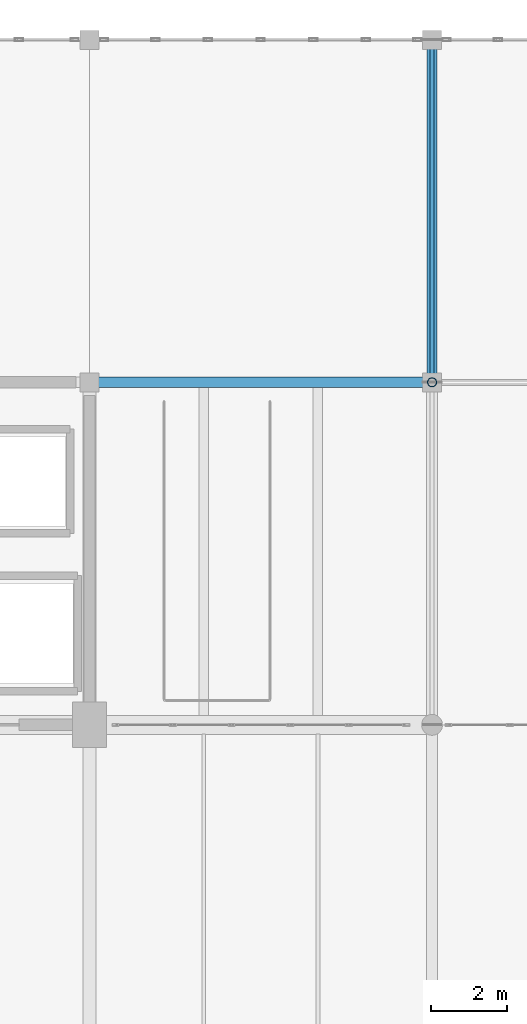
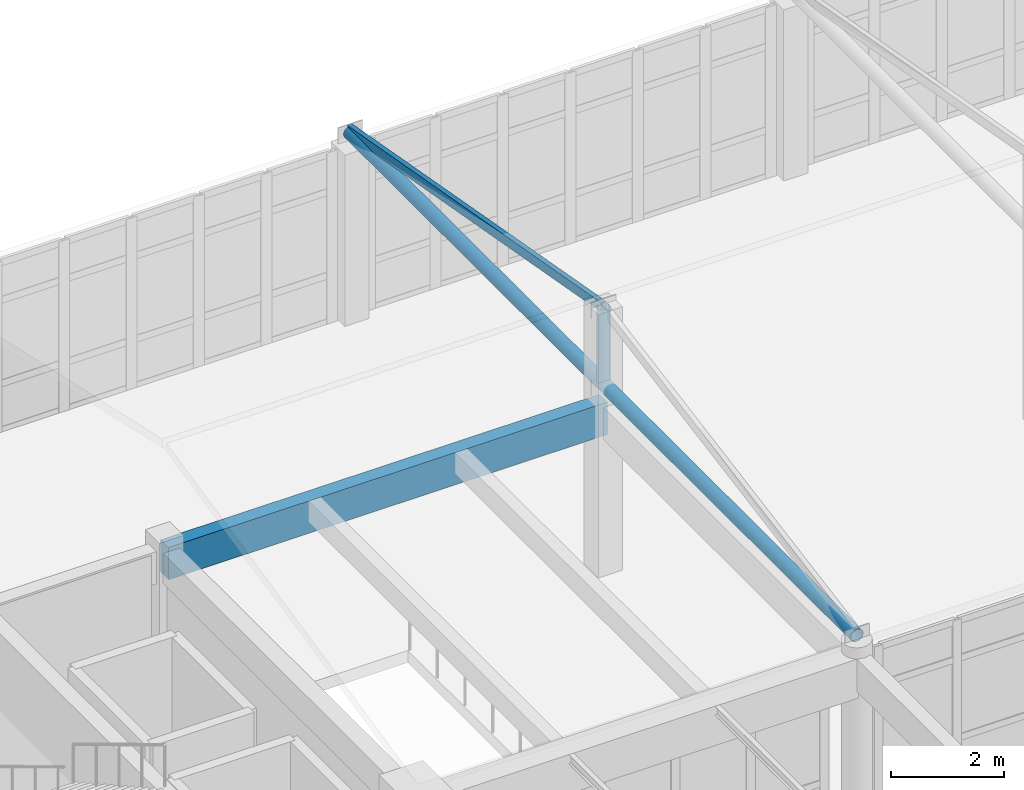
# One storey, part 58 of 156: 3 members, 1 beam.
"""IFC4 building model written with IfcOpenShell, lengths in metres."""

from ifc_helpers import new_model, si_unit, direction, frame, origin, origin_2d, place, context, subcontext, project, spatial, rectangle, hollow_rectangle, hollow_circle, extrude, material, material_profile, profile_set, type_object, element, save


model = new_model("IFC4")

# Units and contexts
model_context = context("Model", 3, precision=1e-05, world=origin(), true_north=direction((0.0, 1.0)))
body_context = subcontext(model_context, "Body", "Model", "MODEL_VIEW")
ifc_project = project(units=[si_unit("LENGTHUNIT", "METRE"), si_unit("AREAUNIT", "SQUARE_METRE"), si_unit("VOLUMEUNIT", "CUBIC_METRE"), si_unit("PLANEANGLEUNIT", "RADIAN"), si_unit("MASSUNIT", "GRAM", prefix="KILO")], contexts=[model_context])

# Site, building, storey
site_placement = place(None, origin())
site = spatial("IfcSite", under=ifc_project, at=site_placement, CompositionType="ELEMENT")
building_placement = place(site_placement, origin())
building = spatial("IfcBuilding", under=site, at=building_placement, Name="Ornek Quay Market", CompositionType="ELEMENT")
storey_placement = place(building_placement, frame((0.0, 0.0, 4.5)))
storey = spatial("IfcBuildingStorey", under=building, at=storey_placement, Name="L01", CompositionType="ELEMENT", Elevation=4.5)

# Beam
ifc_material_1 = material(Name="Concrete C35/45", Category="concrete")
ifc_material_profile_1 = material_profile(ifc_material_1, rectangle(XDim=0.280029296875, YDim=0.699951171875, at=origin_2d()), Name="RC 280x700", Category="concrete")
ifc_profile_set_1 = profile_set([ifc_material_profile_1], Name="Concrete C35/45")
beam_type = type_object("IfcBeamType", Name="BM-SPN-280x700", PredefinedType="SPANDREL", material=ifc_profile_set_1)
beam_placement = place(storey_placement, frame((63.0, 101.0, 3.31005859375), z_axis=(1.0, 0.0, 0.0), x_axis=(0.0, 1.0, 0.0)))
element("IfcBeam", 1, at=beam_placement, inside=storey, type_object=beam_type, Name="Primary beam B-SP2-052", PredefinedType="SPANDREL", context=body_context, shape_type="SweptSolid", body=[
    extrude(rectangle(XDim=0.280029296875, YDim=0.699951171875, at=origin_2d()), origin(), (0.0, 0.0, 1.0), 9.0),
])

# Members
ifc_material_2 = material(Name="Steel S355", Category="steel")
ifc_material_profile_2 = material_profile(ifc_material_2, hollow_circle(Radius=0.136474609375, WallThickness=0.012451171875, at=origin_2d()), Name="CHS 273x12.5", Category="steel")
ifc_profile_set_2 = profile_set([ifc_material_profile_2], Name="Steel S355")
member_type_1 = type_object("IfcMemberType", Name="MBR-CHD-CHS273", PredefinedType="CHORD", material=ifc_profile_set_2)
member_1_placement = place(storey_placement, frame((72.0, 92.0, 3.97998046875), z_axis=(0.0, 1.0, 0.0), x_axis=(-1.0, 0.0, 0.0)))
element("IfcMember", 2, at=member_1_placement, inside=storey, type_object=member_type_1, Name="Concourse skylight tie chord C-72", PredefinedType="CHORD", context=body_context, shape_type="SweptSolid", body=[
    extrude(hollow_circle(Radius=0.136474609375, WallThickness=0.012451171875, at=origin_2d()), origin(), (0.0, 0.0, 1.0), 18.0),
])
ifc_material_profile_3 = material_profile(ifc_material_2, hollow_rectangle(XDim=0.10009765625, YDim=0.199951171875, WallThickness=0.008056640625, at=origin_2d()), Name="MBR-RAF-100x200", Category="steel")
ifc_profile_set_3 = profile_set([ifc_material_profile_3], Name="Steel S355")
member_type_2 = type_object("IfcMemberType", Name="MBR-RAF-100x200", PredefinedType="RAFTER", material=ifc_profile_set_3)
member_2_placement = place(storey_placement, frame((72.0, 101.0, 5.64990234375), z_axis=(0.0, 0.984185744367, -0.177139551158), x_axis=(-1.0, 0.0, 0.0)))
element("IfcMember", 3, at=member_2_placement, inside=storey, type_object=member_type_2, Name="Concourse skylight rafter C-72-N", PredefinedType="RAFTER", context=body_context, shape_type="SweptSolid", body=[
    extrude(hollow_rectangle(XDim=0.10009765625, YDim=0.199951171875, WallThickness=0.008056640625, at=origin_2d()), origin(), (0.0, 0.0, 1.0), 9.14453125),
])
ifc_material_profile_4 = material_profile(ifc_material_2, hollow_circle(Radius=0.122314453125, WallThickness=0.012451171875, at=origin_2d()), Name="CHS 244.5x12.5", Category="steel")
ifc_profile_set_4 = profile_set([ifc_material_profile_4], Name="Steel S355")
member_type_3 = type_object("IfcMemberType", Name="MBR-STR-CHS244", PredefinedType="STRUT", material=ifc_profile_set_4)
member_3_placement = place(storey_placement, frame((72.0, 101.0, 3.97998046875), z_axis=(0.0, 0.0, 1.0), x_axis=(1.0, 0.0, 0.0)))
element("IfcMember", 4, at=member_3_placement, inside=storey, type_object=member_type_3, Name="Concourse kingpost strut C-72", PredefinedType="STRUT", context=body_context, shape_type="SweptSolid", body=[
    extrude(hollow_circle(Radius=0.122314453125, WallThickness=0.012451171875, at=origin_2d()), origin(), (0.0, 0.0, 1.0), 1.669921875),
])

save(model, "model.ifc")
